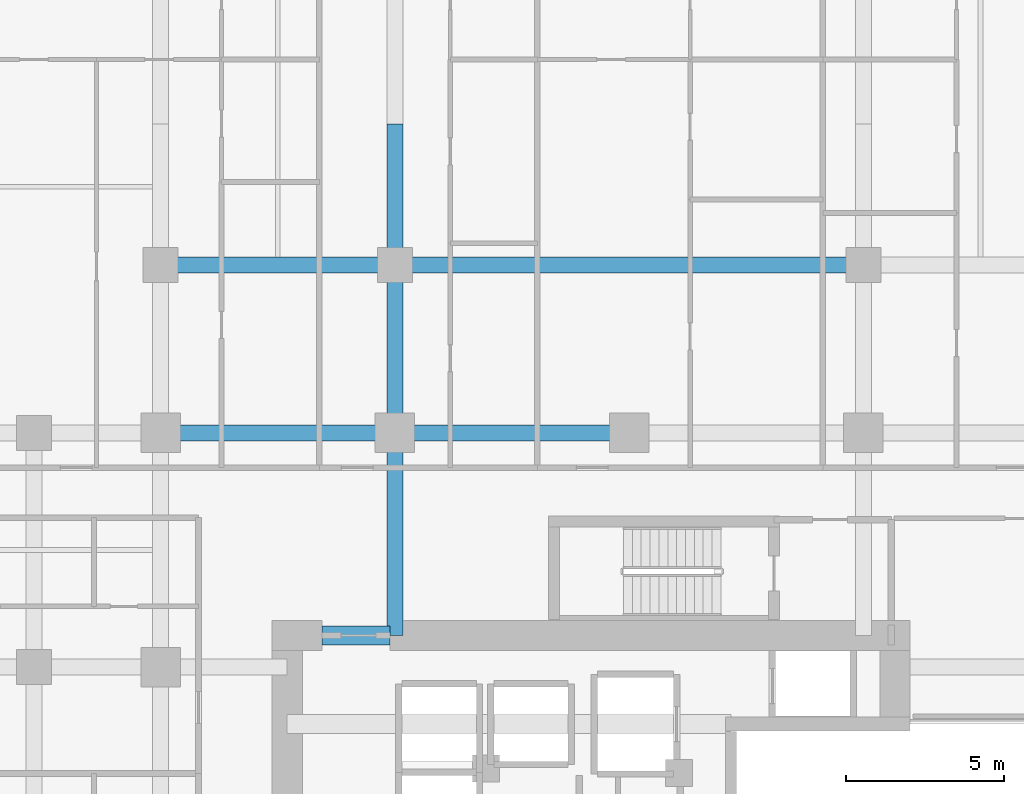
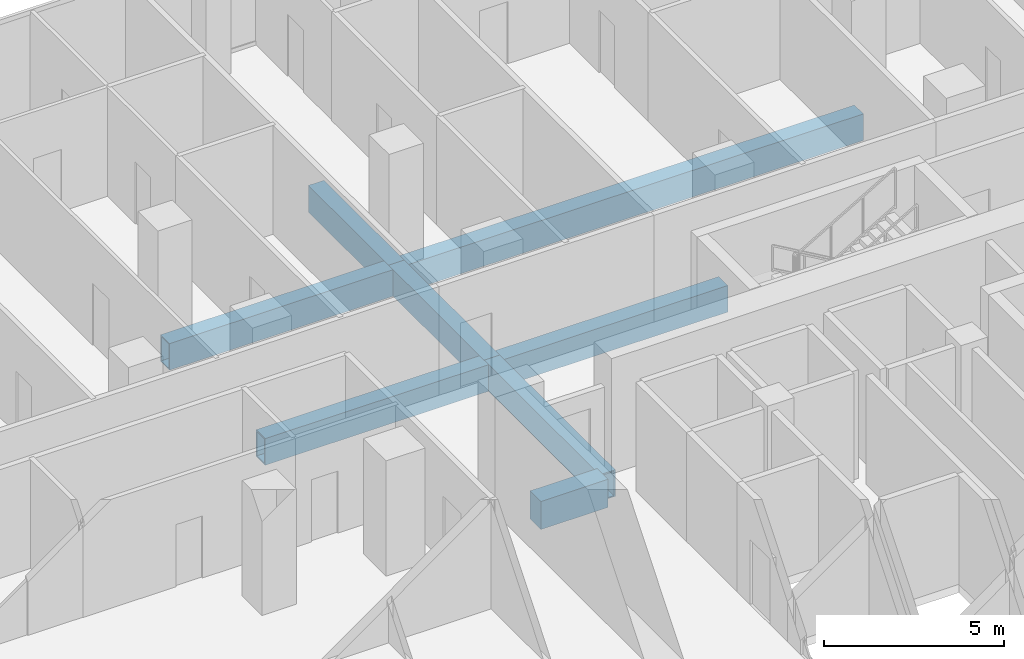
# One storey, part 10 of 29: 8 beams.
"""IFC4 building model written with IfcOpenShell, lengths in metres."""

from ifc_helpers import new_model, si_unit, direction, frame, origin, origin_2d, place, context, subcontext, project, spatial, rectangle, hollow_rectangle, extrude, material, material_profile, profile_set, type_object, element, save


model = new_model("IFC4")

# Units and contexts
model_context = context("Model", 3, precision=1e-05, world=origin(), true_north=direction((0.0, 1.0)))
body_context = subcontext(model_context, "Body", "Model", "MODEL_VIEW")
ifc_project = project(units=[si_unit("LENGTHUNIT", "METRE"), si_unit("AREAUNIT", "SQUARE_METRE"), si_unit("VOLUMEUNIT", "CUBIC_METRE"), si_unit("PLANEANGLEUNIT", "RADIAN"), si_unit("MASSUNIT", "GRAM", prefix="KILO")], contexts=[model_context])

# Site, building, storey
site_placement = place(None, origin())
site = spatial("IfcSite", under=ifc_project, at=site_placement, CompositionType="ELEMENT")
building_placement = place(site_placement, origin())
building = spatial("IfcBuilding", under=site, at=building_placement, Name="Khorvyn Point Tower", CompositionType="ELEMENT")
storey_placement = place(building_placement, frame((0.0, 0.0, 85.199951171875)))
storey = spatial("IfcBuildingStorey", under=building, at=storey_placement, Name="L21", CompositionType="ELEMENT", Elevation=85.199951171875)

# Beams
ifc_material_1 = material(Name="Concrete C50/60", Category="concrete")
ifc_material_profile_1 = material_profile(ifc_material_1, rectangle(XDim=0.60009765625, YDim=0.949951171875, at=origin_2d()))
ifc_profile_set_1 = profile_set([ifc_material_profile_1], Name="Concrete C50/60 RC600x950")
beam_type_1 = type_object("IfcBeamType", Name="Concrete C50/60 Beam RC600x950", PredefinedType="BEAM", material=ifc_profile_set_1)
beam_1_placement = place(storey_placement, frame((-9.699951171875, 8.39990234375, -0.7548828125), z_axis=(1.0, 0.0, 0.0), x_axis=(0.0, 1.0, 0.0)))
element("IfcBeam", 1, at=beam_1_placement, inside=storey, type_object=beam_type_1, Name="L21 Core Northwest Portal Coupling Beam", PredefinedType="BEAM", context=body_context, shape_type="SweptSolid", body=[
    extrude(rectangle(XDim=0.60009765625, YDim=0.949951171875, at=origin_2d()), origin(), (0.0, 0.0, 1.0), 2.14990234375),
])
ifc_material_2 = material(Name="Steel S450", Category="steel")
ifc_material_profile_2 = material_profile(ifc_material_2, hollow_rectangle(XDim=0.5, YDim=0.89990234375, WallThickness=0.0400390625, at=origin_2d()))
ifc_profile_set_2 = profile_set([ifc_material_profile_2], Name="Steel S450 BOX900x500x40")
beam_type_2 = type_object("IfcBeamType", Name="Steel S450 Beam BOX900x500x40", PredefinedType="BEAM", material=ifc_profile_set_2)
beam_2_placement = place(storey_placement, frame((-14.800048828125, 14.800048828125, -0.72998046875), z_axis=(1.0, 0.0, 0.0), x_axis=(0.0, 1.0, 0.0)))
element("IfcBeam", 2, at=beam_2_placement, inside=storey, type_object=beam_type_2, Name="L21 Radial Transfer Girder", PredefinedType="BEAM", context=body_context, shape_type="SweptSolid", body=[
    extrude(hollow_rectangle(XDim=0.5, YDim=0.89990234375, WallThickness=0.0400390625, at=origin_2d()), origin(), (0.0, 0.0, 1.0), 7.400146484375),
])
beam_3_placement = place(storey_placement, frame((-7.39990234375, 14.800048828125, -0.72998046875), z_axis=(1.0, 0.0, 0.0), x_axis=(0.0, 1.0, 0.0)))
element("IfcBeam", 3, at=beam_3_placement, inside=storey, type_object=beam_type_2, Name="L21 Radial Transfer Girder", PredefinedType="BEAM", context=body_context, shape_type="SweptSolid", body=[
    extrude(hollow_rectangle(XDim=0.5, YDim=0.89990234375, WallThickness=0.0400390625, at=origin_2d()), origin(), (0.0, 0.0, 1.0), 7.39990234375),
])
beam_4_placement = place(storey_placement, frame((-14.800048828125, 20.10009765625, -0.72998046875), z_axis=(1.0, 0.0, 0.0), x_axis=(0.0, 1.0, 0.0)))
element("IfcBeam", 4, at=beam_4_placement, inside=storey, type_object=beam_type_2, Name="Beam", PredefinedType="BEAM", context=body_context, shape_type="SweptSolid", body=[
    extrude(hollow_rectangle(XDim=0.5, YDim=0.89990234375, WallThickness=0.0400390625, at=origin_2d()), origin(), (0.0, 0.0, 1.0), 7.400146484375),
])
beam_5_placement = place(storey_placement, frame((-7.39990234375, 20.10009765625, -0.72998046875), z_axis=(1.0, 0.0, 0.0), x_axis=(0.0, 1.0, 0.0)))
element("IfcBeam", 5, at=beam_5_placement, inside=storey, type_object=beam_type_2, Name="Beam", PredefinedType="BEAM", context=body_context, shape_type="SweptSolid", body=[
    extrude(hollow_rectangle(XDim=0.5, YDim=0.89990234375, WallThickness=0.0400390625, at=origin_2d()), origin(), (0.0, 0.0, 1.0), 14.7998046875),
])
beam_6_placement = place(storey_placement, frame((-7.39990234375, 8.39990234375, -0.72998046875), z_axis=(0.0, 1.0, 0.0), x_axis=(-1.0, 0.0, 0.0)))
element("IfcBeam", 6, at=beam_6_placement, inside=storey, type_object=beam_type_2, Name="Beam", PredefinedType="BEAM", context=body_context, shape_type="SweptSolid", body=[
    extrude(hollow_rectangle(XDim=0.5, YDim=0.89990234375, WallThickness=0.0400390625, at=origin_2d()), origin(), (0.0, 0.0, 1.0), 6.400146484375),
])
beam_7_placement = place(storey_placement, frame((-7.39990234375, 14.800048828125, -0.72998046875), z_axis=(0.0, 1.0, 0.0), x_axis=(-1.0, 0.0, 0.0)))
element("IfcBeam", 7, at=beam_7_placement, inside=storey, type_object=beam_type_2, Name="Beam", PredefinedType="BEAM", context=body_context, shape_type="SweptSolid", body=[
    extrude(hollow_rectangle(XDim=0.5, YDim=0.89990234375, WallThickness=0.0400390625, at=origin_2d()), origin(), (0.0, 0.0, 1.0), 5.300048828125),
])
beam_8_placement = place(storey_placement, frame((-7.39990234375, 20.10009765625, -0.72998046875), z_axis=(0.0, 1.0, 0.0), x_axis=(-1.0, 0.0, 0.0)))
element("IfcBeam", 8, at=beam_8_placement, inside=storey, type_object=beam_type_2, Name="Beam", PredefinedType="BEAM", context=body_context, shape_type="SweptSolid", body=[
    extrude(hollow_rectangle(XDim=0.5, YDim=0.89990234375, WallThickness=0.0400390625, at=origin_2d()), origin(), (0.0, 0.0, 1.0), 4.449951171875),
])

save(model, "model.ifc")
